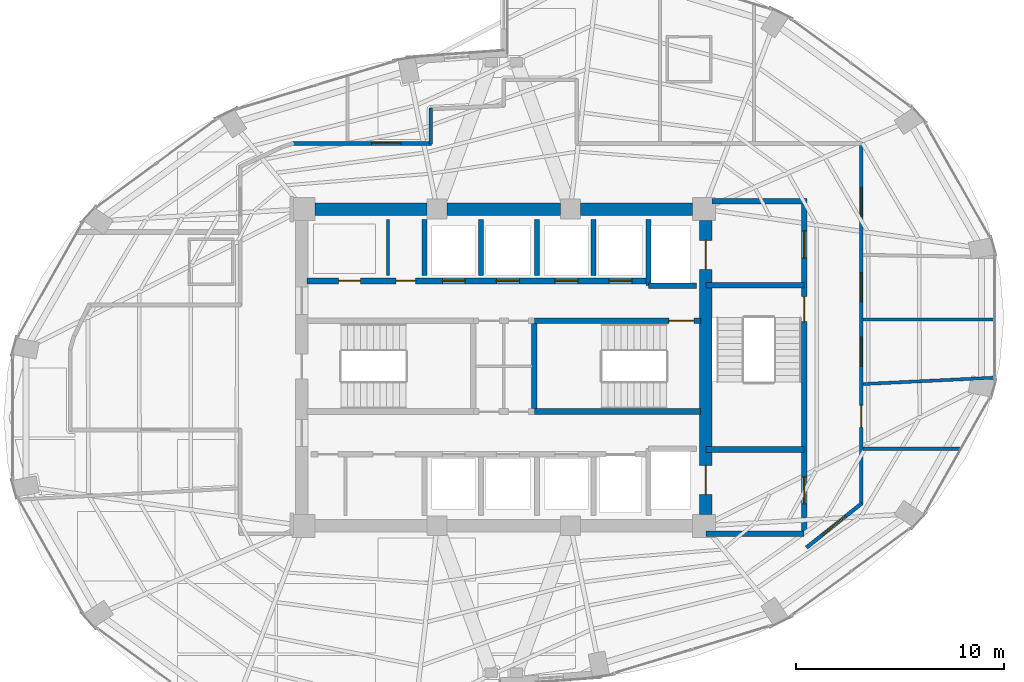
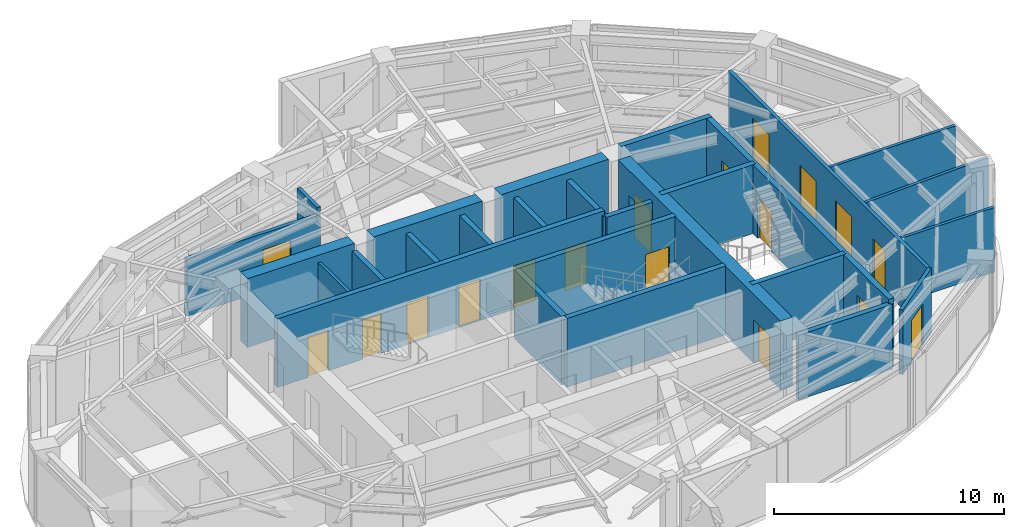
# One storey, part 17 of 20: 27 walls, 18 doors, 18 openings.
"""IFC4 building model written with IfcOpenShell, lengths in metres."""

from ifc_helpers import new_model, si_unit, direction, frame, frame_2d, origin, place, context, subcontext, project, spatial, rectangle, extrude, material, layer, layer_set, type_object, element, fill, save


model = new_model("IFC4")

# Units and contexts
model_context = context("Model", 3, precision=1e-05, world=origin(), true_north=direction((0.0, 1.0)))
body_context = subcontext(model_context, "Body", "Model", "MODEL_VIEW")
ifc_project = project(units=[si_unit("LENGTHUNIT", "METRE"), si_unit("AREAUNIT", "SQUARE_METRE"), si_unit("VOLUMEUNIT", "CUBIC_METRE"), si_unit("PLANEANGLEUNIT", "RADIAN"), si_unit("MASSUNIT", "GRAM", prefix="KILO")], contexts=[model_context])

# Site, building, storey
site_placement = place(None, origin())
site = spatial("IfcSite", under=ifc_project, at=site_placement, CompositionType="ELEMENT")
building_placement = place(site_placement, origin())
building = spatial("IfcBuilding", under=site, at=building_placement, Name="Lazwardi Medical Tower", CompositionType="ELEMENT")
storey_placement = place(building_placement, frame((0.0, 0.0, 141.93603515625)))
storey = spatial("IfcBuildingStorey", under=building, at=storey_placement, Name="L36", CompositionType="ELEMENT", Elevation=141.93603515625)

# Wall, opening, door
ifc_material_1 = material(Name="Fire-rated gypsum board on steel stud", Category="steel")
ifc_layer_1 = layer(ifc_material_1, 0.179931640625)
ifc_layer_set_1 = layer_set([ifc_layer_1], Name="Fire-rated gypsum board on steel stud")
wall_type_1 = type_object("IfcWallType", Name="WL-COR-180", PredefinedType="PARTITIONING", material=ifc_layer_set_1)
wall_1_placement = place(storey_placement, frame((25.842529296875, 38.75, 0.0), z_axis=(0.0, 0.0, 1.0), x_axis=(1.0, 0.0, 0.0)))
wall_1 = element("IfcWall", 1, at=wall_1_placement, inside=storey, type_object=wall_type_1, Name="L36 Corridor partition 6", PredefinedType="PARTITIONING", context=body_context, shape_type="SweptSolid", body=[
    extrude(rectangle(XDim=6.697509765625, YDim=0.179931640625, at=frame_2d((3.3486328125, 0.0))), origin(), (0.0, 0.0, 1.0), 3.052978515625),
])
opening_1_placement = place(wall_1_placement, frame((3.818359375, 0.0, 0.0)))
opening_1 = element("IfcOpeningElement", 2, at=opening_1_placement, cuts=wall_1, Name="Opening D-L36-022", PredefinedType="OPENING", context=body_context, shape_type="SweptSolid", body=[
    extrude(rectangle(XDim=1.39990234375, YDim=2.199951171875, at=frame_2d((0.699951171875, 1.10009765625))), frame((0.0, 0.099853515625, 0.0), z_axis=(0.0, -1.0, 0.0), x_axis=(1.0, 0.0, 0.0)), (0.0, 0.0, 1.0), 0.199951171875),
])
ifc_material_2 = material(Name="Anti-microbial laminate hospital leaf")
door_type_1 = type_object("IfcDoorType", Name="DR-BED-1400", OperationType="NOTDEFINED", PredefinedType="DOOR", material=ifc_material_2)
door_1_placement = place(opening_1_placement, origin())
door_1 = element("IfcDoor", 3, at=door_1_placement, inside=storey, type_object=door_type_1, Name="L36 Inpatient Ward Door 08", OperationType="SINGLE_SWING_RIGHT", OverallHeight=2.199951171875, OverallWidth=1.39990234375, PredefinedType="DOOR", context=body_context, shape_type="SweptSolid", body=[
    extrude(rectangle(XDim=1.39990234375, YDim=2.199951171875, at=frame_2d((0.699951171875, 1.10009765625))), frame((0.0, 0.02490234375, 0.0), z_axis=(0.0, -1.0, 0.0), x_axis=(1.0, 0.0, 0.0)), (0.0, 0.0, 1.0), 0.050048828125),
])
fill(opening_1, door_1)

# Wall
wall_2_placement = place(storey_placement, frame((32.5, 38.7099609375, 0.0), z_axis=(0.0, 0.0, 1.0), x_axis=(0.0, 1.0, 0.0)))
element("IfcWall", 4, at=wall_2_placement, inside=storey, type_object=wall_type_1, Name="L36 Corridor partition 7", PredefinedType="PARTITIONING", context=body_context, shape_type="SweptSolid", body=[
    extrude(rectangle(XDim=1.729248046875, YDim=0.179931640625, at=frame_2d((0.86474609375, 0.0))), origin(), (0.0, 0.0, 1.0), 3.427978515625),
])

# Wall, openings, doors
wall_3_placement = place(storey_placement, frame((53.14990234375, 38.7900390625, 0.0), z_axis=(0.0, 0.0, 1.0), x_axis=(0.0, -1.0, 0.0)))
wall_3 = element("IfcWall", 5, at=wall_3_placement, inside=storey, type_object=wall_type_1, Name="L36 Corridor partition 13", PredefinedType="PARTITIONING", context=body_context, shape_type="SweptSolid", body=[
    extrude(rectangle(XDim=17.374267578125, YDim=0.179931640625, at=frame_2d((8.68701171875, 0.0))), origin(), (0.0, 0.0, 1.0), 3.427978515625),
])
opening_2_placement = place(wall_3_placement, frame((12.613037109375, 0.0, 0.0)))
opening_2 = element("IfcOpeningElement", 6, at=opening_2_placement, cuts=wall_3, Name="Opening D-L36-017", PredefinedType="OPENING", context=body_context, shape_type="SweptSolid", body=[
    extrude(rectangle(XDim=1.050048828125, YDim=2.14990234375, at=frame_2d((0.52490234375, 1.074951171875))), frame((0.0, 0.099853515625, 0.0), z_axis=(0.0, -1.0, 0.0), x_axis=(1.0, 0.0, 0.0)), (0.0, 0.0, 1.0), 0.199951171875),
])
opening_3_placement = place(wall_3_placement, frame((9.338134765625, 0.0, 0.0)))
opening_3 = element("IfcOpeningElement", 7, at=opening_3_placement, cuts=wall_3, Name="Opening D-L36-018", PredefinedType="OPENING", context=body_context, shape_type="SweptSolid", body=[
    extrude(rectangle(XDim=1.39990234375, YDim=2.199951171875, at=frame_2d((0.699951171875, 1.10009765625))), frame((0.0, 0.099853515625, 0.0), z_axis=(0.0, -1.0, 0.0), x_axis=(1.0, 0.0, 0.0)), (0.0, 0.0, 1.0), 0.199951171875),
])
opening_4_placement = place(wall_3_placement, frame((6.24072265625, 0.0, 0.0)))
opening_4 = element("IfcOpeningElement", 8, at=opening_4_placement, cuts=wall_3, Name="Opening D-L36-019", PredefinedType="OPENING", context=body_context, shape_type="SweptSolid", body=[
    extrude(rectangle(XDim=1.39990234375, YDim=2.199951171875, at=frame_2d((0.699951171875, 1.10009765625))), frame((0.0, 0.099853515625, 0.0), z_axis=(0.0, -1.0, 0.0), x_axis=(1.0, 0.0, 0.0)), (0.0, 0.0, 1.0), 0.199951171875),
])
opening_5_placement = place(wall_3_placement, frame((2.15478515625, 0.0, 0.0)))
opening_5 = element("IfcOpeningElement", 9, at=opening_5_placement, cuts=wall_3, Name="Opening D-L36-020", PredefinedType="OPENING", context=body_context, shape_type="SweptSolid", body=[
    extrude(rectangle(XDim=1.39990234375, YDim=2.199951171875, at=frame_2d((0.699951171875, 1.10009765625))), frame((0.0, 0.099853515625, 0.0), z_axis=(0.0, -1.0, 0.0), x_axis=(1.0, 0.0, 0.0)), (0.0, 0.0, 1.0), 0.199951171875),
])
door_2_placement = place(opening_3_placement, origin())
door_2 = element("IfcDoor", 10, at=door_2_placement, inside=storey, type_object=door_type_1, Name="L36 Rehabilitation Gymnasium Door 04", OperationType="SINGLE_SWING_LEFT", OverallHeight=2.199951171875, OverallWidth=1.39990234375, PredefinedType="DOOR", context=body_context, shape_type="SweptSolid", body=[
    extrude(rectangle(XDim=1.39990234375, YDim=2.199951171875, at=frame_2d((0.699951171875, 1.10009765625))), frame((0.0, 0.02490234375, 0.0), z_axis=(0.0, -1.0, 0.0), x_axis=(1.0, 0.0, 0.0)), (0.0, 0.0, 1.0), 0.050048828125),
])
fill(opening_3, door_2)
door_3_placement = place(opening_4_placement, origin())
door_3 = element("IfcDoor", 11, at=door_3_placement, inside=storey, type_object=door_type_1, Name="L36 Outpatient Clinic Door 05", OperationType="SINGLE_SWING_RIGHT", OverallHeight=2.199951171875, OverallWidth=1.39990234375, PredefinedType="DOOR", context=body_context, shape_type="SweptSolid", body=[
    extrude(rectangle(XDim=1.39990234375, YDim=2.199951171875, at=frame_2d((0.699951171875, 1.10009765625))), frame((0.0, 0.02490234375, 0.0), z_axis=(0.0, -1.0, 0.0), x_axis=(1.0, 0.0, 0.0)), (0.0, 0.0, 1.0), 0.050048828125),
])
fill(opening_4, door_3)
door_4_placement = place(opening_5_placement, origin())
door_4 = element("IfcDoor", 12, at=door_4_placement, inside=storey, type_object=door_type_1, Name="L36 Inpatient Ward Door 06", OperationType="SINGLE_SWING_LEFT", OverallHeight=2.199951171875, OverallWidth=1.39990234375, PredefinedType="DOOR", context=body_context, shape_type="SweptSolid", body=[
    extrude(rectangle(XDim=1.39990234375, YDim=2.199951171875, at=frame_2d((0.699951171875, 1.10009765625))), frame((0.0, 0.02490234375, 0.0), z_axis=(0.0, -1.0, 0.0), x_axis=(1.0, 0.0, 0.0)), (0.0, 0.0, 1.0), 0.050048828125),
])
fill(opening_5, door_4)
door_type_2 = type_object("IfcDoorType", Name="DR-CLN-1050", OperationType="NOTDEFINED", PredefinedType="DOOR", material=ifc_material_2)
door_5_placement = place(opening_2_placement, origin())
door_5 = element("IfcDoor", 13, at=door_5_placement, inside=storey, type_object=door_type_2, Name="L36 Ward Dietetic Pantry Door 03", OperationType="SINGLE_SWING_RIGHT", OverallHeight=2.14990234375, OverallWidth=1.050048828125, PredefinedType="DOOR", context=body_context, shape_type="SweptSolid", body=[
    extrude(rectangle(XDim=1.050048828125, YDim=2.14990234375, at=frame_2d((0.52490234375, 1.074951171875))), frame((0.0, 0.02490234375, 0.0), z_axis=(0.0, -1.0, 0.0), x_axis=(1.0, 0.0, 0.0)), (0.0, 0.0, 1.0), 0.050048828125),
])
fill(opening_2, door_5)

# Wall, opening, door
wall_4_placement = place(storey_placement, frame((53.181396484375, 21.480712890625, 0.0), z_axis=(0.0, 0.0, 1.0), x_axis=(-0.781420737726, -0.624004511724, 0.0)))
wall_4 = element("IfcWall", 14, at=wall_4_placement, inside=storey, type_object=wall_type_1, Name="L36 Corridor partition 14", PredefinedType="PARTITIONING", context=body_context, shape_type="SweptSolid", body=[
    extrude(rectangle(XDim=3.407470703125, YDim=0.179931640625, at=frame_2d((1.70361328125, 0.0))), origin(), (0.0, 0.0, 1.0), 3.427978515625),
])
opening_6_placement = place(wall_4_placement, frame((1.003662109375, 0.0, 0.0)))
opening_6 = element("IfcOpeningElement", 15, at=opening_6_placement, cuts=wall_4, Name="Opening D-L36-016", PredefinedType="OPENING", context=body_context, shape_type="SweptSolid", body=[
    extrude(rectangle(XDim=1.39990234375, YDim=2.199951171875, at=frame_2d((0.699951171875, 1.10009765625))), frame((0.0, 0.099853515625, 0.0), z_axis=(0.0, -1.0, 0.0), x_axis=(1.0, 0.0, 0.0)), (0.0, 0.0, 1.0), 0.199951171875),
])
door_6_placement = place(opening_6_placement, origin())
door_6 = element("IfcDoor", 16, at=door_6_placement, inside=storey, type_object=door_type_1, Name="L36 Patient Day Lounge Door 02", OperationType="SINGLE_SWING_LEFT", OverallHeight=2.199951171875, OverallWidth=1.39990234375, PredefinedType="DOOR", context=body_context, shape_type="SweptSolid", body=[
    extrude(rectangle(XDim=1.39990234375, YDim=2.199951171875, at=frame_2d((0.699951171875, 1.10009765625))), frame((0.0, 0.02490234375, 0.0), z_axis=(0.0, -1.0, 0.0), x_axis=(1.0, 0.0, 0.0)), (0.0, 0.0, 1.0), 0.050048828125),
])
fill(opening_6, door_6)

# Wall, openings, doors
ifc_material_3 = material(Name="Concrete C60/75", Category="concrete")
ifc_layer_2 = layer(ifc_material_3, 0.60009765625)
ifc_layer_set_2 = layer_set([ifc_layer_2], Name="Concrete C60/75")
wall_type_2 = type_object("IfcWallType", Name="WL-CORE-600", PredefinedType="SHEAR", material=ifc_layer_set_2)
wall_5_placement = place(storey_placement, frame((45.699951171875, 20.949951171875, 0.0), z_axis=(0.0, 0.0, 1.0), x_axis=(0.0, 1.0, 0.0)))
wall_5 = element("IfcWall", 17, at=wall_5_placement, inside=storey, type_object=wall_type_2, Name="Core wall CW-S3 east L36", PredefinedType="SHEAR", context=body_context, shape_type="SweptSolid", body=[
    extrude(rectangle(XDim=14.10009765625, YDim=0.60009765625, at=frame_2d((7.050048828125, 0.0))), origin(), (0.0, 0.0, 1.0), 3.64794921875),
])
opening_7_placement = place(wall_5_placement, frame((11.75, 0.0, 0.0)))
opening_7 = element("IfcOpeningElement", 18, at=opening_7_placement, cuts=wall_5, Name="Opening LD-L36-001", PredefinedType="OPENING", context=body_context, shape_type="SweptSolid", body=[
    extrude(rectangle(XDim=1.39990234375, YDim=2.300048828125, at=frame_2d((0.699951171875, 1.14990234375))), frame((0.0, 0.31005859375, 0.0), z_axis=(0.0, -1.0, 0.0), x_axis=(1.0, 0.0, 0.0)), (0.0, 0.0, 1.0), 0.6201171875),
])
opening_8_placement = place(wall_5_placement, frame((0.949951171875, 0.0, 0.0)))
opening_8 = element("IfcOpeningElement", 19, at=opening_8_placement, cuts=wall_5, Name="Opening LD-L36-002", PredefinedType="OPENING", context=body_context, shape_type="SweptSolid", body=[
    extrude(rectangle(XDim=1.39990234375, YDim=2.300048828125, at=frame_2d((0.699951171875, 1.14990234375))), frame((0.0, 0.31005859375, 0.0), z_axis=(0.0, -1.0, 0.0), x_axis=(1.0, 0.0, 0.0)), (0.0, 0.0, 1.0), 0.6201171875),
])
ifc_material_4 = material(Name="Brushed stainless steel bed-lift landing door", Category="steel")
door_type_3 = type_object("IfcDoorType", Name="DR-LFT-1400", OperationType="NOTDEFINED", PredefinedType="DOOR", material=ifc_material_4)
door_7_placement = place(opening_7_placement, origin())
door_7 = element("IfcDoor", 20, at=door_7_placement, inside=storey, type_object=door_type_3, Name="L36 Lift Landing Door FL-01", OperationType="SLIDING_TO_LEFT", OverallHeight=2.300048828125, OverallWidth=1.39990234375, PredefinedType="DOOR", context=body_context, shape_type="SweptSolid", body=[
    extrude(rectangle(XDim=1.39990234375, YDim=2.300048828125, at=frame_2d((0.699951171875, 1.14990234375))), frame((0.0, 0.02490234375, 0.0), z_axis=(0.0, -1.0, 0.0), x_axis=(1.0, 0.0, 0.0)), (0.0, 0.0, 1.0), 0.050048828125),
])
fill(opening_7, door_7)
door_8_placement = place(opening_8_placement, origin())
door_8 = element("IfcDoor", 21, at=door_8_placement, inside=storey, type_object=door_type_3, Name="L36 Lift Landing Door FL-02", OperationType="SLIDING_TO_LEFT", OverallHeight=2.300048828125, OverallWidth=1.39990234375, PredefinedType="DOOR", context=body_context, shape_type="SweptSolid", body=[
    extrude(rectangle(XDim=1.39990234375, YDim=2.300048828125, at=frame_2d((0.699951171875, 1.14990234375))), frame((0.0, 0.02490234375, 0.0), z_axis=(0.0, -1.0, 0.0), x_axis=(1.0, 0.0, 0.0)), (0.0, 0.0, 1.0), 0.050048828125),
])
fill(opening_8, door_8)

# Walls
wall_6_placement = place(storey_placement, frame((26.949951171875, 35.60009765625, 0.0), z_axis=(0.0, 0.0, 1.0), x_axis=(1.0, 0.0, 0.0)))
element("IfcWall", 22, at=wall_6_placement, inside=storey, type_object=wall_type_2, Name="Core wall CW-S3 N1 L36", PredefinedType="SHEAR", context=body_context, shape_type="SweptSolid", body=[
    extrude(rectangle(XDim=5.375, YDim=0.60009765625, at=frame_2d((2.6875, 0.0))), origin(), (0.0, 0.0, 1.0), 3.64794921875),
])
wall_7_placement = place(storey_placement, frame((33.27490234375, 35.60009765625, 0.0), z_axis=(0.0, 0.0, 1.0), x_axis=(1.0, 0.0, 0.0)))
element("IfcWall", 23, at=wall_7_placement, inside=storey, type_object=wall_type_2, Name="Core wall CW-S3 N2 L36", PredefinedType="SHEAR", context=body_context, shape_type="SweptSolid", body=[
    extrude(rectangle(XDim=5.4501953125, YDim=0.60009765625, at=frame_2d((2.72509765625, 0.0))), origin(), (0.0, 0.0, 1.0), 3.64794921875),
])
wall_8_placement = place(storey_placement, frame((39.675048828125, 35.60009765625, 0.0), z_axis=(0.0, 0.0, 1.0), x_axis=(1.0, 0.0, 0.0)))
element("IfcWall", 24, at=wall_8_placement, inside=storey, type_object=wall_type_2, Name="Core wall CW-S3 N3 L36", PredefinedType="SHEAR", context=body_context, shape_type="SweptSolid", body=[
    extrude(rectangle(XDim=5.375, YDim=0.60009765625, at=frame_2d((2.6875, 0.0))), origin(), (0.0, 0.0, 1.0), 3.64794921875),
])
ifc_material_5 = material(Name="Autoclaved aerated concrete blockwork", Category="masonry")
ifc_layer_3 = layer(ifc_material_5, 0.25)
ifc_layer_set_3 = layer_set([ifc_layer_3], Name="Autoclaved aerated concrete blockwork")
wall_type_3 = type_object("IfcWallType", Name="WL-SHAFT-250", PredefinedType="SOLIDWALL", material=ifc_layer_set_3)
wall_9_placement = place(storey_placement, frame((42.949951171875, 31.919921875, 0.0), z_axis=(0.0, 0.0, 1.0), x_axis=(0.0, 1.0, 0.0)))
element("IfcWall", 25, at=wall_9_placement, inside=storey, type_object=wall_type_3, Name="L36 FL-01 West shaft wall", PredefinedType="SOLIDWALL", context=body_context, shape_type="SweptSolid", body=[
    extrude(rectangle(XDim=3.18017578125, YDim=0.25, at=frame_2d((1.590087890625, 0.0))), origin(), (0.0, 0.0, 1.0), 3.427978515625),
])
wall_10_placement = place(storey_placement, frame((42.949951171875, 31.919921875, 0.0), z_axis=(0.0, 0.0, 1.0), x_axis=(1.0, 0.0, 0.0)))
element("IfcWall", 26, at=wall_10_placement, inside=storey, type_object=wall_type_3, Name="L36 FL-01 South shaft wall", PredefinedType="SOLIDWALL", context=body_context, shape_type="SweptSolid", body=[
    extrude(rectangle(XDim=2.300048828125, YDim=0.25, at=frame_2d((1.14990234375, 0.0))), origin(), (0.0, 0.0, 1.0), 3.427978515625),
])
for number, where, z_axis, x_axis, name in (
    (27, (32.199951171875, 32.419921875, 0.0), (0.0, 0.0, 1.0), (0.0, 1.0, 0.0), "L36 North hoistway divider"),
    (28, (34.89990234375, 32.419921875, 0.0), (0.0, 0.0, 1.0), (0.0, 1.0, 0.0), "L36 North hoistway divider"),
    (29, (37.60009765625, 32.419921875, 0.0), (0.0, 0.0, 1.0), (0.0, 1.0, 0.0), "L36 North hoistway divider"),
    (30, (40.300048828125, 32.419921875, 0.0), (0.0, 0.0, 1.0), (0.0, 1.0, 0.0), "L36 North hoistway divider"),
):
    element("IfcWall", number, at=place(storey_placement, frame(where, z_axis=z_axis, x_axis=x_axis)), inside=storey, type_object=wall_type_3, Name=name, PredefinedType="SOLIDWALL", context=body_context, shape_type="SweptSolid", body=[
        extrude(rectangle(XDim=2.68017578125, YDim=0.25, at=frame_2d((1.340087890625, 0.0))), origin(), (0.0, 0.0, 1.0), 3.427978515625),
    ])
wall_11_placement = place(storey_placement, frame((45.699951171875, 20.02001953125, 0.0), z_axis=(0.0, 0.0, 1.0), x_axis=(1.0, 0.0, 0.0)))
element("IfcWall", 31, at=wall_11_placement, inside=storey, type_object=wall_type_3, Name="L36 FFL-S South wall", PredefinedType="SOLIDWALL", context=body_context, shape_type="SweptSolid", body=[
    extrude(rectangle(XDim=4.715087890625, YDim=0.25, at=frame_2d((2.357421875, 0.0))), origin(), (0.0, 0.0, 1.0), 3.427978515625),
])

# Wall, opening, door
ifc_material_6 = material(Name="Concrete C50/60", Category="concrete")
ifc_layer_4 = layer(ifc_material_6, 0.27001953125)
ifc_layer_set_4 = layer_set([ifc_layer_4], Name="Concrete C50/60")
wall_type_4 = type_object("IfcWallType", Name="WL-STR-250", PredefinedType="SHEAR", material=ifc_layer_set_4)
wall_12_placement = place(storey_placement, frame((37.465087890625, 30.235107421875, 0.0), z_axis=(0.0, 0.0, 1.0), x_axis=(1.0, 0.0, 0.0)))
wall_12 = element("IfcWall", 32, at=wall_12_placement, inside=storey, type_object=wall_type_4, Name="L36 ST2 North shear shaft wall SW-S1", PredefinedType="SHEAR", context=body_context, shape_type="SweptSolid", body=[
    extrude(rectangle(XDim=7.98486328125, YDim=0.27001953125, at=frame_2d((3.992431640625, 0.0))), origin(), (0.0, 0.0, 1.0), 3.64794921875),
])
opening_9_placement = place(wall_12_placement, frame((6.455078125, 0.0, 0.0)))
opening_9 = element("IfcOpeningElement", 33, at=opening_9_placement, cuts=wall_12, Name="Opening D-L36-025", PredefinedType="OPENING", context=body_context, shape_type="SweptSolid", body=[
    extrude(rectangle(XDim=1.199951171875, YDim=2.14990234375, at=frame_2d((0.60009765625, 1.074951171875))), frame((0.0, 0.14501953125, 0.0), z_axis=(0.0, -1.0, 0.0), x_axis=(1.0, 0.0, 0.0)), (0.0, 0.0, 1.0), 0.2900390625),
])
ifc_material_7 = material(Name="Fire-rated steel leaf and frame", Category="steel")
door_type_4 = type_object("IfcDoorType", Name="DR-STR-1200", OperationType="NOTDEFINED", PredefinedType="DOOR", material=ifc_material_7)
door_9_placement = place(opening_9_placement, origin())
door_9 = element("IfcDoor", 34, at=door_9_placement, inside=storey, type_object=door_type_4, Name="L36 Exit Stair ST2 Door", OperationType="SINGLE_SWING_LEFT", OverallHeight=2.14990234375, OverallWidth=1.199951171875, PredefinedType="DOOR", context=body_context, shape_type="SweptSolid", body=[
    extrude(rectangle(XDim=1.199951171875, YDim=2.14990234375, at=frame_2d((0.60009765625, 1.074951171875))), frame((0.0, 0.02490234375, 0.0), z_axis=(0.0, -1.0, 0.0), x_axis=(1.0, 0.0, 0.0)), (0.0, 0.0, 1.0), 0.050048828125),
])
fill(opening_9, door_9)

# Walls
wall_13_placement = place(storey_placement, frame((37.465087890625, 25.885009765625, 0.0), z_axis=(0.0, 0.0, 1.0), x_axis=(1.0, 0.0, 0.0)))
element("IfcWall", 35, at=wall_13_placement, inside=storey, type_object=wall_type_4, Name="L36 ST2 South shear shaft wall SW-S1", PredefinedType="SHEAR", context=body_context, shape_type="SweptSolid", body=[
    extrude(rectangle(XDim=7.98486328125, YDim=0.27001953125, at=frame_2d((3.992431640625, 0.0))), origin(), (0.0, 0.0, 1.0), 3.64794921875),
])
wall_14_placement = place(storey_placement, frame((37.465087890625, 26.02001953125, 0.0), z_axis=(0.0, 0.0, 1.0), x_axis=(0.0, 1.0, 0.0)))
element("IfcWall", 36, at=wall_14_placement, inside=storey, type_object=wall_type_4, Name="L36 ST2 West shear shaft wall SW-S1", PredefinedType="SHEAR", context=body_context, shape_type="SweptSolid", body=[
    extrude(rectangle(XDim=4.080078125, YDim=0.27001953125, at=frame_2d((2.0400390625, 0.0))), origin(), (0.0, 0.0, 1.0), 3.64794921875),
])

# Wall, openings, doors
wall_15_placement = place(storey_placement, frame((26.550048828125, 32.14990234375, 0.0), z_axis=(0.0, 0.0, 1.0), x_axis=(1.0, 0.0, 0.0)))
wall_15 = element("IfcWall", 37, at=wall_15_placement, inside=storey, type_object=wall_type_4, Name="L36 North lift bank shear wall SW-S1", PredefinedType="SHEAR", context=body_context, shape_type="SweptSolid", body=[
    extrude(rectangle(XDim=16.39990234375, YDim=0.27001953125, at=frame_2d((8.199951171875, 0.0))), origin(), (0.0, 0.0, 1.0), 3.64794921875),
])
opening_10_placement = place(wall_15_placement, frame((1.52490234375, 0.0, 0.0)))
opening_10 = element("IfcOpeningElement", 38, at=opening_10_placement, cuts=wall_15, Name="Opening D-L36-007", PredefinedType="OPENING", context=body_context, shape_type="SweptSolid", body=[
    extrude(rectangle(XDim=1.050048828125, YDim=2.14990234375, at=frame_2d((0.52490234375, 1.074951171875))), frame((0.0, 0.14501953125, 0.0), z_axis=(0.0, -1.0, 0.0), x_axis=(1.0, 0.0, 0.0)), (0.0, 0.0, 1.0), 0.2900390625),
])
opening_11_placement = place(wall_15_placement, frame((4.27490234375, 0.0, 0.0)))
opening_11 = element("IfcOpeningElement", 39, at=opening_11_placement, cuts=wall_15, Name="Opening D-L36-008", PredefinedType="OPENING", context=body_context, shape_type="SweptSolid", body=[
    extrude(rectangle(XDim=0.949951171875, YDim=2.10009765625, at=frame_2d((0.47509765625, 1.050048828125))), frame((0.0, 0.14501953125, 0.0), z_axis=(0.0, -1.0, 0.0), x_axis=(1.0, 0.0, 0.0)), (0.0, 0.0, 1.0), 0.2900390625),
])
opening_12_placement = place(wall_15_placement, frame((6.5, 0.0, 0.0)))
opening_12 = element("IfcOpeningElement", 40, at=opening_12_placement, cuts=wall_15, Name="Opening LD-L36-004", PredefinedType="OPENING", context=body_context, shape_type="SweptSolid", body=[
    extrude(rectangle(XDim=1.10009765625, YDim=2.199951171875, at=frame_2d((0.550048828125, 1.10009765625))), frame((0.0, 0.14501953125, 0.0), z_axis=(0.0, -1.0, 0.0), x_axis=(1.0, 0.0, 0.0)), (0.0, 0.0, 1.0), 0.2900390625),
])
opening_13_placement = place(wall_15_placement, frame((9.10009765625, 0.0, 0.0)))
opening_13 = element("IfcOpeningElement", 41, at=opening_13_placement, cuts=wall_15, Name="Opening LD-L36-005", PredefinedType="OPENING", context=body_context, shape_type="SweptSolid", body=[
    extrude(rectangle(XDim=1.10009765625, YDim=2.199951171875, at=frame_2d((0.550048828125, 1.10009765625))), frame((0.0, 0.14501953125, 0.0), z_axis=(0.0, -1.0, 0.0), x_axis=(1.0, 0.0, 0.0)), (0.0, 0.0, 1.0), 0.2900390625),
])
opening_14_placement = place(wall_15_placement, frame((11.89990234375, 0.0, 0.0)))
opening_14 = element("IfcOpeningElement", 42, at=opening_14_placement, cuts=wall_15, Name="Opening LD-L36-008", PredefinedType="OPENING", context=body_context, shape_type="SweptSolid", body=[
    extrude(rectangle(XDim=1.10009765625, YDim=2.199951171875, at=frame_2d((0.550048828125, 1.10009765625))), frame((0.0, 0.14501953125, 0.0), z_axis=(0.0, -1.0, 0.0), x_axis=(1.0, 0.0, 0.0)), (0.0, 0.0, 1.0), 0.2900390625),
])
opening_15_placement = place(wall_15_placement, frame((14.5, 0.0, 0.0)))
opening_15 = element("IfcOpeningElement", 43, at=opening_15_placement, cuts=wall_15, Name="Opening LD-L36-009", PredefinedType="OPENING", context=body_context, shape_type="SweptSolid", body=[
    extrude(rectangle(XDim=1.10009765625, YDim=2.199951171875, at=frame_2d((0.550048828125, 1.10009765625))), frame((0.0, 0.14501953125, 0.0), z_axis=(0.0, -1.0, 0.0), x_axis=(1.0, 0.0, 0.0)), (0.0, 0.0, 1.0), 0.2900390625),
])
door_10_placement = place(opening_10_placement, origin())
door_10 = element("IfcDoor", 44, at=door_10_placement, inside=storey, type_object=door_type_2, Name="L36 Telemedicine Door", OperationType="SINGLE_SWING_RIGHT", OverallHeight=2.14990234375, OverallWidth=1.050048828125, PredefinedType="DOOR", context=body_context, shape_type="SweptSolid", body=[
    extrude(rectangle(XDim=1.050048828125, YDim=2.14990234375, at=frame_2d((0.52490234375, 1.074951171875))), frame((0.0, 0.02490234375, 0.0), z_axis=(0.0, -1.0, 0.0), x_axis=(1.0, 0.0, 0.0)), (0.0, 0.0, 1.0), 0.050048828125),
])
fill(opening_10, door_10)
ifc_material_8 = material(Name="Moisture-resistant laminate door leaf")
door_type_5 = type_object("IfcDoorType", Name="DR-ENS-950", OperationType="NOTDEFINED", PredefinedType="DOOR", material=ifc_material_8)
door_11_placement = place(opening_11_placement, origin())
door_11 = element("IfcDoor", 45, at=door_11_placement, inside=storey, type_object=door_type_5, Name="L36 Staff WC Door", OperationType="SINGLE_SWING_LEFT", OverallHeight=2.10009765625, OverallWidth=0.949951171875, PredefinedType="DOOR", context=body_context, shape_type="SweptSolid", body=[
    extrude(rectangle(XDim=0.949951171875, YDim=2.10009765625, at=frame_2d((0.47509765625, 1.050048828125))), frame((0.0, 0.02490234375, 0.0), z_axis=(0.0, -1.0, 0.0), x_axis=(1.0, 0.0, 0.0)), (0.0, 0.0, 1.0), 0.050048828125),
])
fill(opening_11, door_11)
ifc_material_9 = material(Name="Brushed bronze stainless steel landing door", Category="steel")
door_type_6 = type_object("IfcDoorType", Name="DR-LFT-1100", OperationType="NOTDEFINED", PredefinedType="DOOR", material=ifc_material_9)
door_12_placement = place(opening_12_placement, origin())
door_12 = element("IfcDoor", 46, at=door_12_placement, inside=storey, type_object=door_type_6, Name="L36 Lift Landing Door PL-05", OperationType="SLIDING_TO_LEFT", OverallHeight=2.199951171875, OverallWidth=1.10009765625, PredefinedType="DOOR", context=body_context, shape_type="SweptSolid", body=[
    extrude(rectangle(XDim=1.10009765625, YDim=2.199951171875, at=frame_2d((0.550048828125, 1.10009765625))), frame((0.0, 0.02490234375, 0.0), z_axis=(0.0, -1.0, 0.0), x_axis=(1.0, 0.0, 0.0)), (0.0, 0.0, 1.0), 0.050048828125),
])
fill(opening_12, door_12)
door_13_placement = place(opening_13_placement, origin())
door_13 = element("IfcDoor", 47, at=door_13_placement, inside=storey, type_object=door_type_6, Name="L36 Lift Landing Door PL-06", OperationType="SLIDING_TO_LEFT", OverallHeight=2.199951171875, OverallWidth=1.10009765625, PredefinedType="DOOR", context=body_context, shape_type="SweptSolid", body=[
    extrude(rectangle(XDim=1.10009765625, YDim=2.199951171875, at=frame_2d((0.550048828125, 1.10009765625))), frame((0.0, 0.02490234375, 0.0), z_axis=(0.0, -1.0, 0.0), x_axis=(1.0, 0.0, 0.0)), (0.0, 0.0, 1.0), 0.050048828125),
])
fill(opening_13, door_13)
door_14_placement = place(opening_14_placement, origin())
door_14 = element("IfcDoor", 48, at=door_14_placement, inside=storey, type_object=door_type_6, Name="L36 Lift Landing Door PL-09", OperationType="SLIDING_TO_LEFT", OverallHeight=2.199951171875, OverallWidth=1.10009765625, PredefinedType="DOOR", context=body_context, shape_type="SweptSolid", body=[
    extrude(rectangle(XDim=1.10009765625, YDim=2.199951171875, at=frame_2d((0.550048828125, 1.10009765625))), frame((0.0, 0.02490234375, 0.0), z_axis=(0.0, -1.0, 0.0), x_axis=(1.0, 0.0, 0.0)), (0.0, 0.0, 1.0), 0.050048828125),
])
fill(opening_14, door_14)
door_15_placement = place(opening_15_placement, origin())
door_15 = element("IfcDoor", 49, at=door_15_placement, inside=storey, type_object=door_type_6, Name="L36 Lift Landing Door PL-10", OperationType="SLIDING_TO_LEFT", OverallHeight=2.199951171875, OverallWidth=1.10009765625, PredefinedType="DOOR", context=body_context, shape_type="SweptSolid", body=[
    extrude(rectangle(XDim=1.10009765625, YDim=2.199951171875, at=frame_2d((0.550048828125, 1.10009765625))), frame((0.0, 0.02490234375, 0.0), z_axis=(0.0, -1.0, 0.0), x_axis=(1.0, 0.0, 0.0)), (0.0, 0.0, 1.0), 0.050048828125),
])
fill(opening_15, door_15)

wall_16_placement = place(storey_placement, frame((50.4150390625, 35.844970703125, 0.0), z_axis=(0.0, 0.0, 1.0), x_axis=(0.0, -1.0, 0.0)))
wall_16 = element("IfcWall", 50, at=wall_16_placement, inside=storey, type_object=wall_type_4, Name="L36 East ST3 & FFL shear wall SW-S1", PredefinedType="SHEAR", context=body_context, shape_type="SweptSolid", body=[
    extrude(rectangle(XDim=15.824951171875, YDim=0.27001953125, at=frame_2d((7.91259765625, 0.0))), origin(), (0.0, 0.0, 1.0), 3.64794921875),
])
opening_16_placement = place(wall_16_placement, frame((4.445068359375, 0.0, 0.0)))
opening_16 = element("IfcOpeningElement", 51, at=opening_16_placement, cuts=wall_16, Name="Opening D-L36-026", PredefinedType="OPENING", context=body_context, shape_type="SweptSolid", body=[
    extrude(rectangle(XDim=1.199951171875, YDim=2.14990234375, at=frame_2d((0.60009765625, 1.074951171875))), frame((0.0, 0.14501953125, 0.0), z_axis=(0.0, -1.0, 0.0), x_axis=(1.0, 0.0, 0.0)), (0.0, 0.0, 1.0), 0.2900390625),
])
opening_17_placement = place(wall_16_placement, frame((1.294921875, 0.0, 0.0)))
opening_17 = element("IfcOpeningElement", 52, at=opening_17_placement, cuts=wall_16, Name="Opening D-L36-011", PredefinedType="OPENING", context=body_context, shape_type="SweptSolid", body=[
    extrude(rectangle(XDim=1.300048828125, YDim=2.199951171875, at=frame_2d((0.64990234375, 1.10009765625))), frame((0.0, 0.14501953125, 0.0), z_axis=(0.0, -1.0, 0.0), x_axis=(1.0, 0.0, 0.0)), (0.0, 0.0, 1.0), 0.2900390625),
])
opening_18_placement = place(wall_16_placement, frame((13.094970703125, 0.0, 0.0)))
opening_18 = element("IfcOpeningElement", 53, at=opening_18_placement, cuts=wall_16, Name="Opening D-L36-012", PredefinedType="OPENING", context=body_context, shape_type="SweptSolid", body=[
    extrude(rectangle(XDim=1.300048828125, YDim=2.199951171875, at=frame_2d((0.64990234375, 1.10009765625))), frame((0.0, 0.14501953125, 0.0), z_axis=(0.0, -1.0, 0.0), x_axis=(1.0, 0.0, 0.0)), (0.0, 0.0, 1.0), 0.2900390625),
])
door_type_7 = type_object("IfcDoorType", Name="DR-FFL-1300", OperationType="NOTDEFINED", PredefinedType="DOOR", material=ifc_material_7)
door_16_placement = place(opening_17_placement, origin())
door_16 = element("IfcDoor", 54, at=door_16_placement, inside=storey, type_object=door_type_7, Name="L36 Fire-Fighting Lobby North Door", OperationType="SINGLE_SWING_LEFT", OverallHeight=2.199951171875, OverallWidth=1.300048828125, PredefinedType="DOOR", context=body_context, shape_type="SweptSolid", body=[
    extrude(rectangle(XDim=1.300048828125, YDim=2.199951171875, at=frame_2d((0.64990234375, 1.10009765625))), frame((0.0, 0.02490234375, 0.0), z_axis=(0.0, -1.0, 0.0), x_axis=(1.0, 0.0, 0.0)), (0.0, 0.0, 1.0), 0.050048828125),
])
fill(opening_17, door_16)
door_17_placement = place(opening_18_placement, origin())
door_17 = element("IfcDoor", 55, at=door_17_placement, inside=storey, type_object=door_type_7, Name="L36 Fire-Fighting Lobby South Door", OperationType="SINGLE_SWING_RIGHT", OverallHeight=2.199951171875, OverallWidth=1.300048828125, PredefinedType="DOOR", context=body_context, shape_type="SweptSolid", body=[
    extrude(rectangle(XDim=1.300048828125, YDim=2.199951171875, at=frame_2d((0.64990234375, 1.10009765625))), frame((0.0, 0.02490234375, 0.0), z_axis=(0.0, -1.0, 0.0), x_axis=(1.0, 0.0, 0.0)), (0.0, 0.0, 1.0), 0.050048828125),
])
fill(opening_18, door_17)
door_18_placement = place(opening_16_placement, origin())
door_18 = element("IfcDoor", 56, at=door_18_placement, inside=storey, type_object=door_type_4, Name="L36 Exit Stair ST3 Door", OperationType="SINGLE_SWING_RIGHT", OverallHeight=2.14990234375, OverallWidth=1.199951171875, PredefinedType="DOOR", context=body_context, shape_type="SweptSolid", body=[
    extrude(rectangle(XDim=1.199951171875, YDim=2.14990234375, at=frame_2d((0.60009765625, 1.074951171875))), frame((0.0, 0.02490234375, 0.0), z_axis=(0.0, -1.0, 0.0), x_axis=(1.0, 0.0, 0.0)), (0.0, 0.0, 1.0), 0.050048828125),
])
fill(opening_16, door_18)

# Walls
wall_17_placement = place(storey_placement, frame((46.0, 35.97998046875, 0.0), z_axis=(0.0, 0.0, 1.0), x_axis=(1.0, 0.0, 0.0)))
element("IfcWall", 57, at=wall_17_placement, inside=storey, type_object=wall_type_4, Name="L36 FFL-N North shear wall SW-S1", PredefinedType="SHEAR", context=body_context, shape_type="SweptSolid", body=[
    extrude(rectangle(XDim=4.550048828125, YDim=0.27001953125, at=frame_2d((2.27490234375, 0.0))), origin(), (0.0, 0.0, 1.0), 3.64794921875),
])
for number, where, z_axis, x_axis, name in (
    (58, (45.699951171875, 31.93505859375, 0.0), (0.0, 0.0, 1.0), (1.0, 0.0, 0.0), "L36 ST3 North shear shaft wall SW-S1"),
    (59, (45.699951171875, 24.06494140625, 0.0), (0.0, 0.0, 1.0), (1.0, 0.0, 0.0), "L36 ST3 South shear shaft wall SW-S1"),
):
    element("IfcWall", number, at=place(storey_placement, frame(where, z_axis=z_axis, x_axis=x_axis)), inside=storey, type_object=wall_type_4, Name=name, PredefinedType="SHEAR", context=body_context, shape_type="SweptSolid", body=[
        extrude(rectangle(XDim=4.715087890625, YDim=0.27001953125, at=frame_2d((2.357421875, 0.0))), origin(), (0.0, 0.0, 1.0), 3.64794921875),
    ])
ifc_material_10 = material(Name="Acoustic gypsum board partition")
ifc_layer_5 = layer(ifc_material_10, 0.14990234375)
ifc_layer_set_5 = layer_set([ifc_layer_5], Name="Acoustic gypsum board partition")
wall_type_5 = type_object("IfcWallType", Name="WL-WRD-150", PredefinedType="PARTITIONING", material=ifc_layer_set_5)
wall_18_placement = place(storey_placement, frame((30.449951171875, 32.419921875, 0.0), z_axis=(0.0, 0.0, 1.0), x_axis=(0.0, 1.0, 0.0)))
element("IfcWall", 60, at=wall_18_placement, inside=storey, type_object=wall_type_5, Name="L36 Freed bay N split 2", PredefinedType="PARTITIONING", context=body_context, shape_type="SweptSolid", body=[
    extrude(rectangle(XDim=2.68017578125, YDim=0.14990234375, at=frame_2d((1.340087890625, 0.0))), origin(), (0.0, 0.0, 1.0), 3.427978515625),
])
wall_19_placement = place(storey_placement, frame((53.239990234375, 24.10009765625, 0.0), z_axis=(0.0, 0.0, 1.0), x_axis=(1.0, 0.0, 0.0)))
element("IfcWall", 61, at=wall_19_placement, inside=storey, type_object=wall_type_5, Name="L36 Room partition 3", PredefinedType="PARTITIONING", context=body_context, shape_type="SweptSolid", body=[
    extrude(rectangle(XDim=4.686767578125, YDim=0.14990234375, at=frame_2d((2.34326171875, 0.0))), origin(), (0.0, 0.0, 1.0), 3.427978515625),
])
wall_20_placement = place(storey_placement, frame((53.239990234375, 27.20361328125, 0.0), z_axis=(0.0, 0.0, 1.0), x_axis=(0.99882763896, 0.0484081362, 0.0)))
element("IfcWall", 62, at=wall_20_placement, inside=storey, type_object=wall_type_5, Name="L36 Room partition 4", PredefinedType="PARTITIONING", context=body_context, shape_type="SweptSolid", body=[
    extrude(rectangle(XDim=6.329345703125, YDim=0.14990234375, at=frame_2d((3.16455078125, 0.0))), origin(), (0.0, 0.0, 1.0), 3.427978515625),
])
wall_21_placement = place(storey_placement, frame((53.239990234375, 30.300048828125, 0.0), z_axis=(0.0, 0.0, 1.0), x_axis=(1.0, 0.0, 0.0)))
element("IfcWall", 63, at=wall_21_placement, inside=storey, type_object=wall_type_5, Name="L36 Room partition 5", PredefinedType="PARTITIONING", context=body_context, shape_type="SweptSolid", body=[
    extrude(rectangle(XDim=6.30712890625, YDim=0.14990234375, at=frame_2d((3.153564453125, 0.0))), origin(), (0.0, 0.0, 1.0), 3.427978515625),
])

save(model, "model.ifc")
